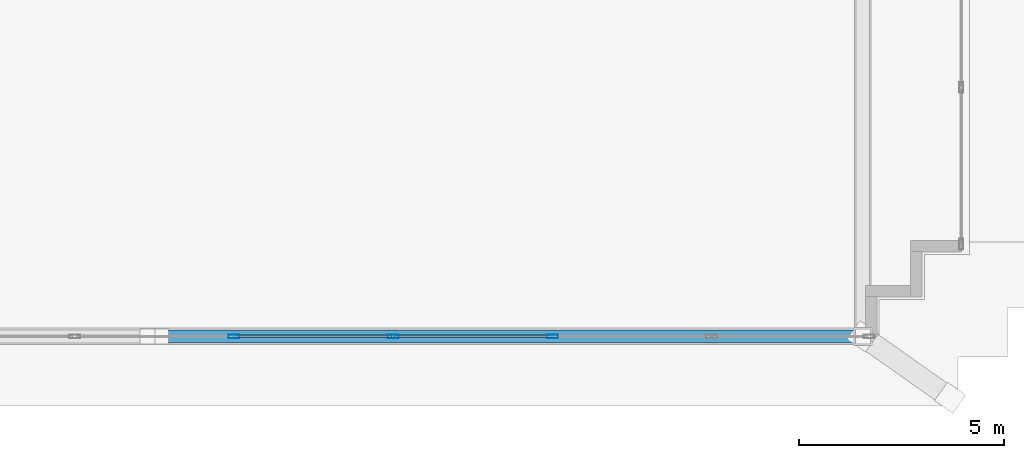
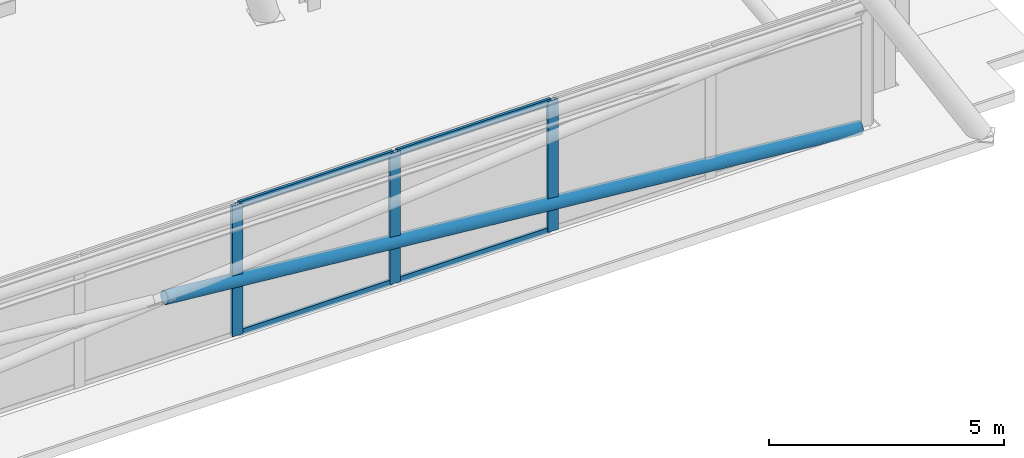
# One storey, part 7 of 22: 8 members, 1 element without a shape of its own.
"""IFC4 building model written with IfcOpenShell, lengths in metres."""

import ifcopenshell
import ifcopenshell.guid

model = None  # the IFC model being written
_history = None  # IfcOwnerHistory: only IFC2X3 demands one
_inside = {}  # id of a spatial element -> (the spatial element, [elements in it])
_under = {}  # id of a project, library or spatial element -> (it, [spatial elements below it])
_declared = {}  # id of a project -> (the project, [libraries it declares])
_typed = {}  # id of a type object -> (the type object, [elements of that type])
_made_of = {}  # id of a material, layer set ... -> (it, [elements and type objects made of it])


def new_model(schema):
    """Start an empty IFC model of exactly this schema.

    Asked for "IFC4X3", IfcOpenShell would pick the latest addendum, in which some entities
    have other attributes; the version numbers below select the first issue.
    IFC2X3 requires an IfcOwnerHistory on every rooted entity: one is made here for all.
    """
    global model, _history
    if schema == "IFC4X3":
        model = ifcopenshell.file(schema_version=(4, 3, 0, 0))
    else:
        model = ifcopenshell.file(schema=schema)
    _inside.clear()
    _under.clear()
    _declared.clear()
    _typed.clear()
    _made_of.clear()
    _history = None
    if model.schema == "IFC2X3":
        org = make("IfcOrganization", Name="unknown")
        user = make(
            "IfcPersonAndOrganization",
            ThePerson=make("IfcPerson", FamilyName="unknown"),
            TheOrganization=org,
        )
        app = make(
            "IfcApplication",
            ApplicationDeveloper=org,
            Version="unknown",
            ApplicationFullName="unknown",
            ApplicationIdentifier="unknown",
        )
        _history = make(
            "IfcOwnerHistory",
            OwningUser=user,
            OwningApplication=app,
            ChangeAction="ADDED",
            CreationDate=0,
        )
    return model


def make(cls, **values):
    """One entity of the class cls with the attributes given. An attribute that is None is left unset."""
    return model.create_entity(
        cls, **{name: value for name, value in values.items() if value is not None}
    )


def rooted(cls, **values):
    """An entity with a GlobalId (a new one), such as an element, a storey or a relation."""
    return make(cls, GlobalId=ifcopenshell.guid.new(), OwnerHistory=_history, **values)


def si_unit(unit_type, name, prefix=None):
    """IfcSIUnit, for example si_unit("LENGTHUNIT", "METRE", prefix="MILLI")."""
    return make("IfcSIUnit", UnitType=unit_type, Prefix=prefix, Name=name)


def assignment(units):
    """IfcUnitAssignment: the units of a project."""
    return None if units is None else make("IfcUnitAssignment", Units=units)


def point(xyz):
    """IfcCartesianPoint."""
    return None if xyz is None else make("IfcCartesianPoint", Coordinates=xyz)


def direction(xyz):
    """IfcDirection."""
    return None if xyz is None else make("IfcDirection", DirectionRatios=xyz)


def frame(location, z_axis=None, x_axis=None):
    """IfcAxis2Placement3D, a coordinate frame: its origin and axes. An axis left out is left unset."""
    return make(
        "IfcAxis2Placement3D",
        Location=point(location),
        Axis=direction(z_axis),
        RefDirection=direction(x_axis),
    )


def frame_2d(location, x_axis=None):
    """IfcAxis2Placement2D, a coordinate frame in the plane: its origin and x axis."""
    return make(
        "IfcAxis2Placement2D", Location=point(location), RefDirection=direction(x_axis)
    )


def origin():
    """The frame at (0, 0, 0) with its axes left unset."""
    return frame((0.0, 0.0, 0.0))


def origin_2d():
    """The frame at (0, 0) in the plane with its x axis left unset."""
    return frame_2d((0.0, 0.0))


def place(relative_to, where):
    """IfcLocalPlacement: puts the frame where relative to a parent placement (None: the world)."""
    return make(
        "IfcLocalPlacement", PlacementRelTo=relative_to, RelativePlacement=where
    )


def context(
    kind, dimensions, precision=None, world=None, true_north=None, identifier=None
):
    """IfcGeometricRepresentationContext, for example the 3D "Model" context."""
    return make(
        "IfcGeometricRepresentationContext",
        ContextIdentifier=identifier,
        ContextType=kind,
        CoordinateSpaceDimension=dimensions,
        Precision=precision,
        WorldCoordinateSystem=world,
        TrueNorth=true_north,
    )


def subcontext(parent, identifier, kind, view, scale=None):
    """IfcGeometricRepresentationSubContext, for example "Body" below "Model"."""
    return make(
        "IfcGeometricRepresentationSubContext",
        ContextIdentifier=identifier,
        ContextType=kind,
        ParentContext=parent,
        TargetScale=scale,
        TargetView=view,
    )


def project(units=None, contexts=None):
    """IfcProject with its units and contexts."""
    return rooted(
        "IfcProject",
        Name="project",
        RepresentationContexts=contexts,
        UnitsInContext=assignment(units),
    )


def spatial(cls, under=None, at=None, **own):
    """A site, building, storey or space (cls), placed at a placement, below another one or the project."""
    s = rooted(cls, ObjectPlacement=at, **own)
    if under is not None:
        _under.setdefault(under.id(), (under, []))[1].append(s)
    return s


def profile(cls, at=None, kind="AREA", **sizes):
    """A parametric profile (cls). Its sizes go by their IFC names, for example OverallWidth=200.0."""
    return make(cls, ProfileType=kind, Position=at, **sizes)


def hollow_rectangle(**sizes):
    """IfcRectangleHollowProfileDef."""
    return profile("IfcRectangleHollowProfileDef", **sizes)


def hollow_circle(**sizes):
    """IfcCircleHollowProfileDef."""
    return profile("IfcCircleHollowProfileDef", **sizes)


def extrude(swept, where, along, depth):
    """IfcExtrudedAreaSolid: the profile swept, set in the frame where, extruded along a direction by depth."""
    return make(
        "IfcExtrudedAreaSolid",
        SweptArea=swept,
        Position=where,
        ExtrudedDirection=direction(along),
        Depth=depth,
    )


def shape(context_of_items, identifier, shape_type, items):
    """IfcShapeRepresentation: the items that make up one representation, for example the "Body"."""
    return make(
        "IfcShapeRepresentation",
        ContextOfItems=context_of_items,
        RepresentationIdentifier=identifier,
        RepresentationType=shape_type,
        Items=items,
    )


def material(Name=None, Category=None):
    """IfcMaterial."""
    return make("IfcMaterial", Name=Name, Category=Category)


def layer(
    of_material, thickness, ventilated=None, Name=None, Category=None, Priority=None
):
    """IfcMaterialLayer: one layer of a wall or slab, of a material (None: an air gap)."""
    return make(
        "IfcMaterialLayer",
        Material=of_material,
        LayerThickness=thickness,
        IsVentilated=ventilated,
        Name=Name,
        Category=Category,
        Priority=Priority,
    )


def layer_set(layers, Name=None):
    """IfcMaterialLayerSet."""
    return make("IfcMaterialLayerSet", MaterialLayers=layers, LayerSetName=Name)


def material_profile(
    of_material, cross_section, Name=None, Category=None, Priority=None
):
    """IfcMaterialProfile: a cross section and its material."""
    return make(
        "IfcMaterialProfile",
        Name=Name,
        Material=of_material,
        Profile=cross_section,
        Priority=Priority,
        Category=Category,
    )


def profile_set(profiles, Name=None, composite=None):
    """IfcMaterialProfileSet."""
    return make(
        "IfcMaterialProfileSet",
        Name=Name,
        MaterialProfiles=profiles,
        CompositeProfile=composite,
    )


def made_of(thing, what):
    """Note that an element or type object is made of a material, layer set ...; save() writes the relation."""
    if what is not None:
        _made_of.setdefault(what.id(), (what, []))[1].append(thing)
    return thing


def type_object(cls, material=None, **own):
    """A type object (cls), such as IfcWallType, which elements share."""
    return made_of(rooted(cls, **own), material)


def element(
    cls,
    number,
    at=None,
    inside=None,
    cuts=None,
    type_object=None,
    material=None,
    context=None,
    identifier="Body",
    shape_type=None,
    held_by="IfcProductDefinitionShape",
    body=None,
    shapes=None,
    **own,
):
    """One element of the class cls, such as IfcWall. Its Tag is "e" and its number.

    at: its placement. inside: the storey or other place that contains it. cuts: it is an
    opening in that element (IfcRelVoidsElement). A single representation is given by context,
    identifier, shape_type and body (its items); several are given by shapes. held_by: the class
    of the entity that holds the representations. save() writes the other relations.
    """
    e = rooted(cls, Tag="e%d" % number, ObjectPlacement=at, **own)
    if body is not None:
        shapes = [shape(context, identifier, shape_type, body)]
    if shapes is not None:
        e.Representation = make(held_by, Representations=shapes)
    if inside is not None:
        _inside.setdefault(inside.id(), (inside, []))[1].append(e)
    if cuts is not None:
        rooted(
            "IfcRelVoidsElement", RelatingBuildingElement=cuts, RelatedOpeningElement=e
        )
    if type_object is not None:
        _typed.setdefault(type_object.id(), (type_object, []))[1].append(e)
    return made_of(e, material)


def aggregate(whole, parts):
    """IfcRelAggregates: a whole, such as a stair, and the parts it consists of."""
    return rooted("IfcRelAggregates", RelatingObject=whole, RelatedObjects=parts)


def save(model, path):
    """Write the relations noted so far, then the file.

    IfcRelAggregates (storeys below a building ...), IfcRelContainedInSpatialStructure (elements
    in a storey), IfcRelDefinesByType, IfcRelAssociatesMaterial and IfcRelDeclares: one each for
    every whole, place, type object, material and project.
    """
    for whole, parts in _under.values():
        aggregate(whole, parts)
    for where, things in _inside.values():
        rooted(
            "IfcRelContainedInSpatialStructure",
            RelatedElements=things,
            RelatingStructure=where,
        )
    for kind, things in _typed.values():
        rooted("IfcRelDefinesByType", RelatedObjects=things, RelatingType=kind)
    for what, things in _made_of.values():
        rooted("IfcRelAssociatesMaterial", RelatedObjects=things, RelatingMaterial=what)
    for by, libraries in _declared.values():
        rooted("IfcRelDeclares", RelatingContext=by, RelatedDefinitions=libraries)
    model.write(path)


model = new_model("IFC4")

# Units and contexts
model_context = context("Model", 3, precision=1e-05, world=origin(), true_north=direction((0.0, 1.0)))
body_context = subcontext(model_context, "Body", "Model", "MODEL_VIEW")
ifc_project = project(units=[si_unit("LENGTHUNIT", "METRE"), si_unit("AREAUNIT", "SQUARE_METRE"), si_unit("VOLUMEUNIT", "CUBIC_METRE"), si_unit("PLANEANGLEUNIT", "RADIAN"), si_unit("MASSUNIT", "GRAM", prefix="KILO")], contexts=[model_context])

# Site, building, storey
site_placement = place(None, origin())
site = spatial("IfcSite", under=ifc_project, at=site_placement, CompositionType="ELEMENT")
building_placement = place(site_placement, origin())
building = spatial("IfcBuilding", under=site, at=building_placement, Name="Qobustan Lattice House", CompositionType="ELEMENT")
storey_placement = place(building_placement, frame((0.0, 0.0, 274.0)))
storey = spatial("IfcBuildingStorey", under=building, at=storey_placement, Name="L77", CompositionType="ELEMENT", Elevation=274.0)

# Curtain wall, members
ifc_material_1 = material(Name="Anodised aluminium and low-E glazing", Category="aluminium")
ifc_layer = layer(ifc_material_1, 0.219970703125)
ifc_layer_set = layer_set([ifc_layer], Name="Anodised aluminium and low-E glazing")
curtain_wall_type = type_object("IfcCurtainWallType", Name="CW-CRN-01", PredefinedType="USERDEFINED", material=ifc_layer_set)
curtain_wall_placement = place(storey_placement, origin())
curtain_wall = element("IfcCurtainWall", 1, at=curtain_wall_placement, inside=storey, type_object=curtain_wall_type, Name="L77 glass-point crown faceted curtain wall 20", ObjectType="CURTAIN WALL", PredefinedType="USERDEFINED")
ifc_material_2 = material(Name="Anodised aluminium EN AW-6063 T6", Category="aluminium")
ifc_material_profile_1 = material_profile(ifc_material_2, hollow_rectangle(XDim=0.090087890625, YDim=0.260009765625, WallThickness=0.006103515625, at=origin_2d()), Name="CWM-CROWN-260x90")
ifc_profile_set_1 = profile_set([ifc_material_profile_1], Name="Anodised aluminium EN AW-6063 T6")
member_type_1 = type_object("IfcMemberType", Name="CWM-CRN-260", PredefinedType="MULLION", material=ifc_profile_set_1)
member_1_placement = place(storey_placement, frame((9.507568359375, -15.401611328125, 0.0), z_axis=(0.0, 0.0, 1.0), x_axis=(0.0, -1.0, 0.0)))
member_1 = element("IfcMember", 2, at=member_1_placement, type_object=member_type_1, Name="CW-CR mullion 3", PredefinedType="MULLION", context=body_context, shape_type="SweptSolid", body=[
    extrude(hollow_rectangle(XDim=0.090087890625, YDim=0.260009765625, WallThickness=0.006103515625, at=origin_2d()), origin(), (0.0, 0.0, 1.0), 3.39990234375),
])
member_2_placement = place(storey_placement, frame((5.62451171875, -15.401611328125, 0.0), z_axis=(0.0, 0.0, 1.0), x_axis=(0.0, -1.0, 0.0)))
member_2 = element("IfcMember", 3, at=member_2_placement, type_object=member_type_1, Name="CW-CR mullion 4", PredefinedType="MULLION", context=body_context, shape_type="SweptSolid", body=[
    extrude(hollow_rectangle(XDim=0.090087890625, YDim=0.260009765625, WallThickness=0.006103515625, at=origin_2d()), origin(), (0.0, 0.0, 1.0), 3.39990234375),
])
member_3_placement = place(storey_placement, frame((1.741455078125, -15.401611328125, 0.0), z_axis=(0.0, 0.0, 1.0), x_axis=(0.0, -1.0, 0.0)))
member_3 = element("IfcMember", 4, at=member_3_placement, type_object=member_type_1, Name="CW-CR mullion 5", PredefinedType="MULLION", context=body_context, shape_type="SweptSolid", body=[
    extrude(hollow_rectangle(XDim=0.090087890625, YDim=0.260009765625, WallThickness=0.006103515625, at=origin_2d()), origin(), (0.0, 0.0, 1.0), 3.39990234375),
])
ifc_material_3 = material(Name="Anodised aluminium EN AW-6063 T6", Category="aluminium")
ifc_material_profile_2 = material_profile(ifc_material_3, hollow_rectangle(XDim=0.06494140625, YDim=0.159912109375, WallThickness=0.00390625, at=origin_2d()), Name="CWT-160x65")
ifc_profile_set_2 = profile_set([ifc_material_profile_2], Name="Anodised aluminium EN AW-6063 T6")
member_type_2 = type_object("IfcMemberType", Name="CWT-HOR-160", PredefinedType="USERDEFINED", material=ifc_profile_set_2)
member_4_placement = place(storey_placement, frame((9.46240234375, -15.401611328125, 0.032470703125), z_axis=(-1.0, 0.0, 0.0), x_axis=(0.0, -1.0, 0.0)))
member_4 = element("IfcMember", 5, at=member_4_placement, type_object=member_type_2, Name="CW-CR transom 3.1", ObjectType="TRANSOM", PredefinedType="USERDEFINED", context=body_context, shape_type="SweptSolid", body=[
    extrude(hollow_rectangle(XDim=0.06494140625, YDim=0.159912109375, WallThickness=0.00390625, at=origin_2d()), origin(), (0.0, 0.0, 1.0), 3.79296875),
])
member_5_placement = place(storey_placement, frame((9.46240234375, -15.401611328125, 3.367431640625), z_axis=(-1.0, 0.0, 0.0), x_axis=(0.0, -1.0, 0.0)))
member_5 = element("IfcMember", 6, at=member_5_placement, type_object=member_type_2, Name="CW-CR transom 3.2", ObjectType="TRANSOM", PredefinedType="USERDEFINED", context=body_context, shape_type="SweptSolid", body=[
    extrude(hollow_rectangle(XDim=0.06494140625, YDim=0.159912109375, WallThickness=0.00390625, at=origin_2d()), origin(), (0.0, 0.0, 1.0), 3.79296875),
])
member_6_placement = place(storey_placement, frame((5.57958984375, -15.401611328125, 0.032470703125), z_axis=(-1.0, 0.0, 0.0), x_axis=(0.0, -1.0, 0.0)))
member_6 = element("IfcMember", 7, at=member_6_placement, type_object=member_type_2, Name="CW-CR transom 4.1", ObjectType="TRANSOM", PredefinedType="USERDEFINED", context=body_context, shape_type="SweptSolid", body=[
    extrude(hollow_rectangle(XDim=0.06494140625, YDim=0.159912109375, WallThickness=0.00390625, at=origin_2d()), origin(), (0.0, 0.0, 1.0), 3.79296875),
])
member_7_placement = place(storey_placement, frame((5.57958984375, -15.401611328125, 3.367431640625), z_axis=(-1.0, 0.0, 0.0), x_axis=(0.0, -1.0, 0.0)))
member_7 = element("IfcMember", 8, at=member_7_placement, type_object=member_type_2, Name="CW-CR transom 4.2", ObjectType="TRANSOM", PredefinedType="USERDEFINED", context=body_context, shape_type="SweptSolid", body=[
    extrude(hollow_rectangle(XDim=0.06494140625, YDim=0.159912109375, WallThickness=0.00390625, at=origin_2d()), origin(), (0.0, 0.0, 1.0), 3.79296875),
])
aggregate(curtain_wall, [member_1, member_2, member_3, member_4, member_5, member_6, member_7])

# Member
ifc_material_4 = material(Name="Steel S355", Category="steel")
ifc_material_profile_3 = material_profile(ifc_material_4, hollow_circle(Radius=0.161865234375, WallThickness=0.012451171875, at=origin_2d()), Name="CHS323.9x12.5")
ifc_profile_set_3 = profile_set([ifc_material_profile_3], Name="Steel S355")
member_type_3 = type_object("IfcMemberType", Name="MEM-CBR-CHS324", PredefinedType="BRACE", material=ifc_profile_set_3)
member_8_placement = place(storey_placement, frame((17.073486328125, -15.401611328125, 0.014892578125), z_axis=(-0.995828532026, 0.0, 0.091244368613), x_axis=(0.0, -1.0, 0.0)))
element("IfcMember", 9, at=member_8_placement, inside=storey, type_object=member_type_3, Name="L77 crown diagrid split brace 1B lower", PredefinedType="BRACE", context=body_context, shape_type="SweptSolid", body=[
    extrude(hollow_circle(Radius=0.161865234375, WallThickness=0.012451171875, at=origin_2d()), origin(), (0.0, 0.0, 1.0), 17.177978515625),
])

save(model, "model.ifc")
